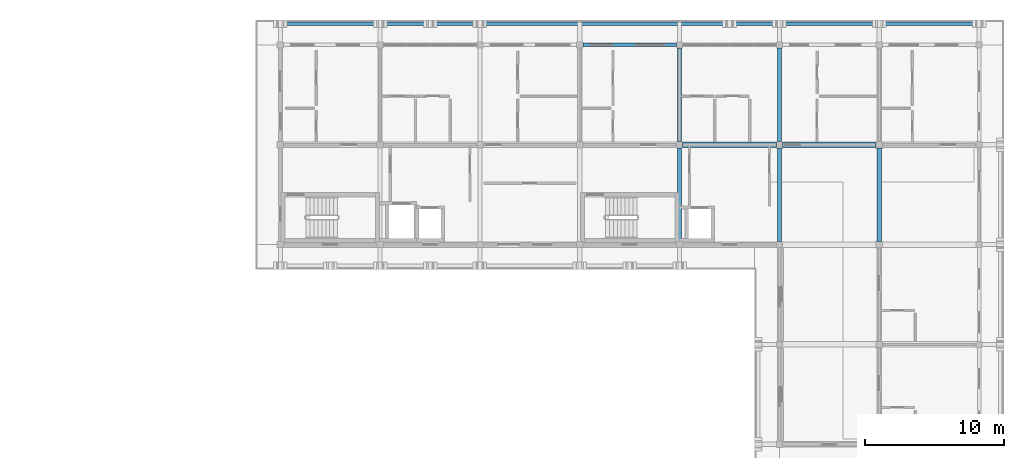
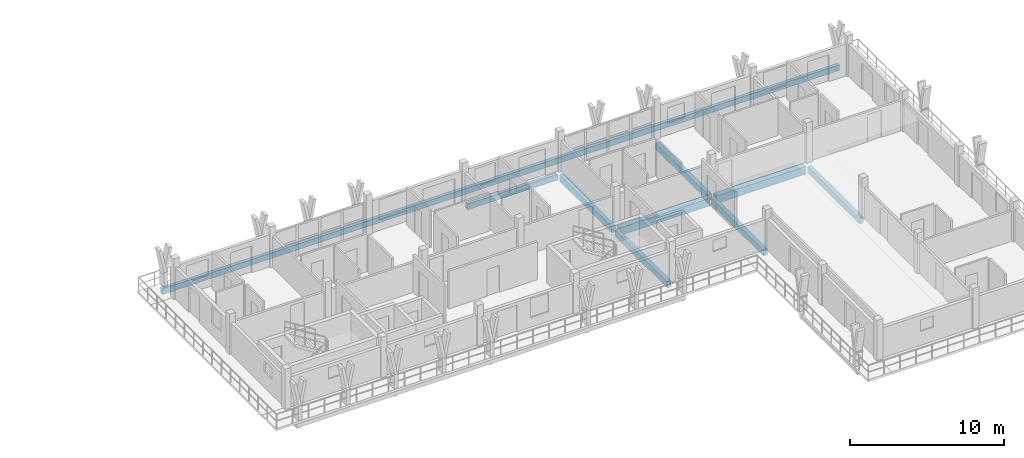
# One storey, part 20 of 45: 9 beams.
"""IFC4 building model written with IfcOpenShell, lengths in metres."""

from ifc_helpers import new_model, si_unit, direction, frame, origin, origin_2d, place, context, subcontext, project, spatial, rectangle, extrude, material, material_profile, profile_set, type_object, element, save


model = new_model("IFC4")

# Units and contexts
model_context = context("Model", 3, precision=1e-05, world=origin(), true_north=direction((0.0, 1.0)))
body_context = subcontext(model_context, "Body", "Model", "MODEL_VIEW")
ifc_project = project(units=[si_unit("LENGTHUNIT", "METRE"), si_unit("AREAUNIT", "SQUARE_METRE"), si_unit("VOLUMEUNIT", "CUBIC_METRE"), si_unit("PLANEANGLEUNIT", "RADIAN"), si_unit("MASSUNIT", "GRAM", prefix="KILO")], contexts=[model_context])

# Site, building, storey
site_placement = place(None, origin())
site = spatial("IfcSite", under=ifc_project, at=site_placement, CompositionType="ELEMENT")
building_placement = place(site_placement, origin())
building = spatial("IfcBuilding", under=site, at=building_placement, Name="Suanplinth Sawtooth Commons", CompositionType="ELEMENT")
storey_placement = place(building_placement, frame((0.0, 0.0, 38.0)))
storey = spatial("IfcBuildingStorey", under=building, at=storey_placement, Name="L11", CompositionType="ELEMENT", Elevation=38.0)

# Beams
ifc_material = material(Name="Precast concrete C40/50", Category="concrete")
ifc_material_profile_1 = material_profile(ifc_material, rectangle(XDim=0.39990234375, YDim=0.60009765625, at=origin_2d()), Name="PC-GDR 400x600")
ifc_profile_set_1 = profile_set([ifc_material_profile_1], Name="Precast concrete C40/50")
beam_type_1 = type_object("IfcBeamType", Name="B-05", PredefinedType="USERDEFINED", material=ifc_profile_set_1)
for number, where, z_axis, x_axis, name in (
    (1, (165.824951171875, 115.199951171875, -0.5400390625), (1.0, 0.0, 0.0), (0.0, 1.0, 0.0), "BMX-L11-B-23-16"),
    (2, (173.02490234375, 115.199951171875, -0.5400390625), (1.0, 0.0, 0.0), (0.0, 1.0, 0.0), "BMX-L11-B-24-16"),
):
    element("IfcBeam", number, at=place(storey_placement, frame(where, z_axis=z_axis, x_axis=x_axis)), inside=storey, type_object=beam_type_1, Name=name, ObjectType="GIRDER", PredefinedType="USERDEFINED", context=body_context, shape_type="SweptSolid", body=[
        extrude(rectangle(XDim=0.39990234375, YDim=0.60009765625, at=origin_2d()), origin(), (0.0, 0.0, 1.0), 6.75),
    ])
ifc_material_profile_2 = material_profile(ifc_material, rectangle(XDim=0.300048828125, YDim=0.5, at=origin_2d()), Name="PC-BM 300x500")
ifc_profile_set_2 = profile_set([ifc_material_profile_2], Name="Precast concrete C40/50")
beam_type_2 = type_object("IfcBeamType", Name="B-07", PredefinedType="BEAM", material=ifc_profile_set_2)
for number, where, z_axis, x_axis, name in (
    (3, (165.60009765625, 108.22509765625, -0.489990234375), (0.0, 1.0, 0.0), (-1.0, 0.0, 0.0), "BMY-L11-B-23-15"),
    (4, (165.60009765625, 115.425048828125, -0.489990234375), (0.0, 1.0, 0.0), (-1.0, 0.0, 0.0), "BMY-L11-B-23-16"),
    (5, (172.800048828125, 108.22509765625, -0.489990234375), (0.0, 1.0, 0.0), (-1.0, 0.0, 0.0), "BMY-L11-B-24-15"),
    (6, (172.800048828125, 115.425048828125, -0.489990234375), (0.0, 1.0, 0.0), (-1.0, 0.0, 0.0), "BMY-L11-B-24-16"),
    (7, (180.0, 108.22509765625, -0.489990234375), (0.0, 1.0, 0.0), (-1.0, 0.0, 0.0), "BMY-L11-B-25-15"),
):
    element("IfcBeam", number, at=place(storey_placement, frame(where, z_axis=z_axis, x_axis=x_axis)), inside=storey, type_object=beam_type_2, Name=name, PredefinedType="BEAM", context=body_context, shape_type="SweptSolid", body=[
        extrude(rectangle(XDim=0.300048828125, YDim=0.5, at=origin_2d()), origin(), (0.0, 0.0, 1.0), 6.75),
    ])
ifc_material_profile_3 = material_profile(ifc_material, rectangle(XDim=0.25, YDim=0.449951171875, at=origin_2d()), Name="PC-SP 250x450")
ifc_profile_set_3 = profile_set([ifc_material_profile_3], Name="Precast concrete C40/50")
beam_type_3 = type_object("IfcBeamType", Name="B-09", PredefinedType="SPANDREL", material=ifc_profile_set_3)
beam_1_placement = place(storey_placement, frame((158.625, 122.39990234375, -0.465087890625), z_axis=(1.0, 0.0, 0.0), x_axis=(0.0, 1.0, 0.0)))
element("IfcBeam", 8, at=beam_1_placement, inside=storey, type_object=beam_type_3, Name="BMX-L11-B-22-17", PredefinedType="SPANDREL", context=body_context, shape_type="SweptSolid", body=[
    extrude(rectangle(XDim=0.25, YDim=0.449951171875, at=origin_2d()), origin(), (0.0, 0.0, 1.0), 6.75),
])
beam_2_placement = place(storey_placement, frame((136.64990234375, 123.919921875, -0.405029296875), z_axis=(1.0, 0.0, 0.0), x_axis=(0.0, 1.0, 0.0)))
element("IfcBeam", 9, at=beam_2_placement, inside=storey, type_object=beam_type_3, Name="Balcony Edge Fascia L11-B-N", PredefinedType="SPANDREL", context=body_context, shape_type="SweptSolid", body=[
    extrude(rectangle(XDim=0.25, YDim=0.449951171875, at=origin_2d()), origin(), (0.0, 0.0, 1.0), 50.7001953125),
])

save(model, "model.ifc")
